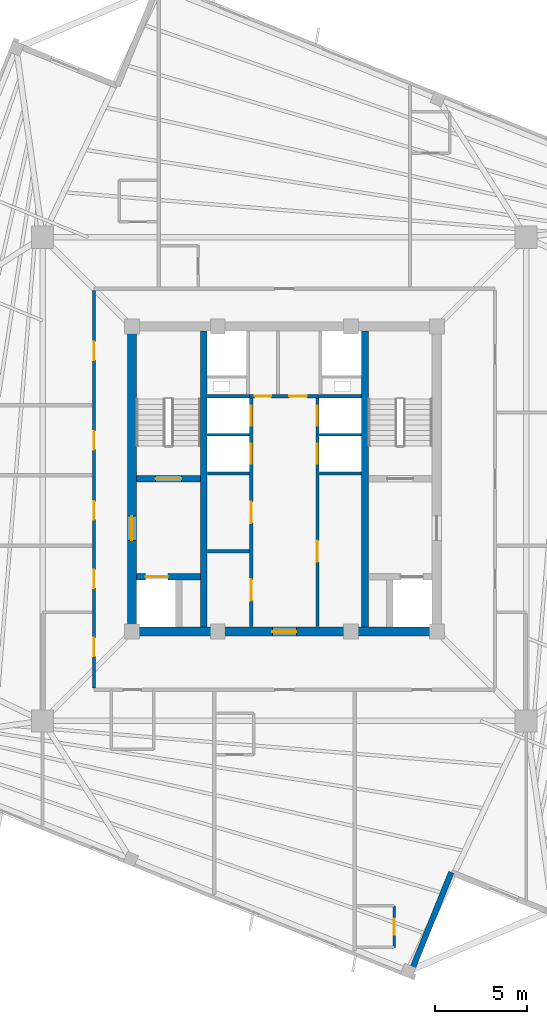
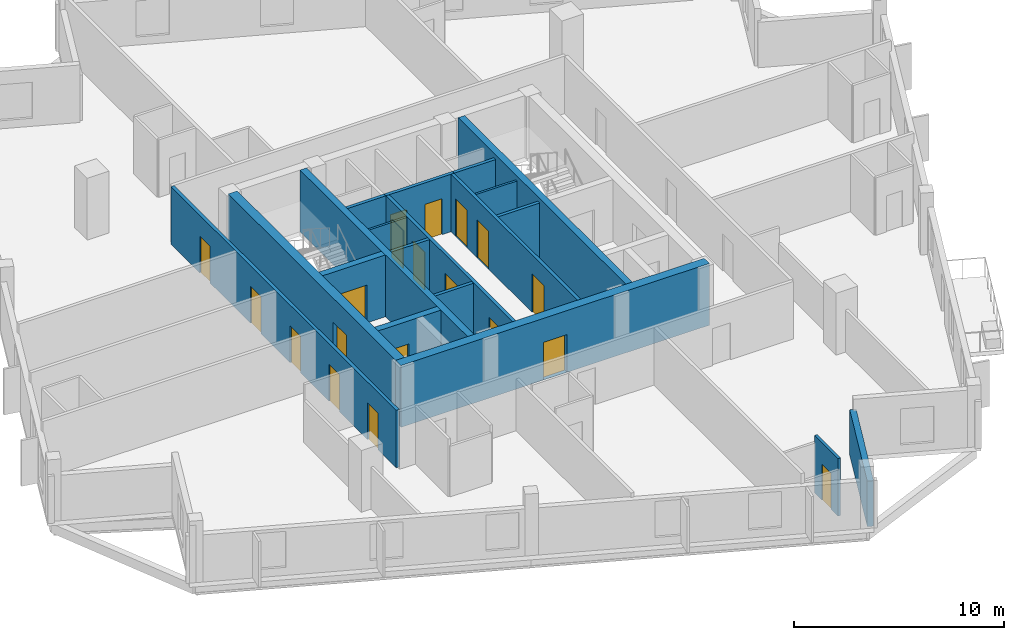
# One storey, part 3 of 9: 19 doors, 19 walls, 19 openings.
"""IFC4 building model written with IfcOpenShell, lengths in metres."""

import ifcopenshell
import ifcopenshell.guid

model = None  # the IFC model being written
_history = None  # IfcOwnerHistory: only IFC2X3 demands one
_inside = {}  # id of a spatial element -> (the spatial element, [elements in it])
_under = {}  # id of a project, library or spatial element -> (it, [spatial elements below it])
_declared = {}  # id of a project -> (the project, [libraries it declares])
_typed = {}  # id of a type object -> (the type object, [elements of that type])
_made_of = {}  # id of a material, layer set ... -> (it, [elements and type objects made of it])


def new_model(schema):
    """Start an empty IFC model of exactly this schema.

    Asked for "IFC4X3", IfcOpenShell would pick the latest addendum, in which some entities
    have other attributes; the version numbers below select the first issue.
    IFC2X3 requires an IfcOwnerHistory on every rooted entity: one is made here for all.
    """
    global model, _history
    if schema == "IFC4X3":
        model = ifcopenshell.file(schema_version=(4, 3, 0, 0))
    else:
        model = ifcopenshell.file(schema=schema)
    _inside.clear()
    _under.clear()
    _declared.clear()
    _typed.clear()
    _made_of.clear()
    _history = None
    if model.schema == "IFC2X3":
        org = make("IfcOrganization", Name="unknown")
        user = make(
            "IfcPersonAndOrganization",
            ThePerson=make("IfcPerson", FamilyName="unknown"),
            TheOrganization=org,
        )
        app = make(
            "IfcApplication",
            ApplicationDeveloper=org,
            Version="unknown",
            ApplicationFullName="unknown",
            ApplicationIdentifier="unknown",
        )
        _history = make(
            "IfcOwnerHistory",
            OwningUser=user,
            OwningApplication=app,
            ChangeAction="ADDED",
            CreationDate=0,
        )
    return model


def make(cls, **values):
    """One entity of the class cls with the attributes given. An attribute that is None is left unset."""
    return model.create_entity(
        cls, **{name: value for name, value in values.items() if value is not None}
    )


def rooted(cls, **values):
    """An entity with a GlobalId (a new one), such as an element, a storey or a relation."""
    return make(cls, GlobalId=ifcopenshell.guid.new(), OwnerHistory=_history, **values)


def si_unit(unit_type, name, prefix=None):
    """IfcSIUnit, for example si_unit("LENGTHUNIT", "METRE", prefix="MILLI")."""
    return make("IfcSIUnit", UnitType=unit_type, Prefix=prefix, Name=name)


def assignment(units):
    """IfcUnitAssignment: the units of a project."""
    return None if units is None else make("IfcUnitAssignment", Units=units)


def point(xyz):
    """IfcCartesianPoint."""
    return None if xyz is None else make("IfcCartesianPoint", Coordinates=xyz)


def direction(xyz):
    """IfcDirection."""
    return None if xyz is None else make("IfcDirection", DirectionRatios=xyz)


def frame(location, z_axis=None, x_axis=None):
    """IfcAxis2Placement3D, a coordinate frame: its origin and axes. An axis left out is left unset."""
    return make(
        "IfcAxis2Placement3D",
        Location=point(location),
        Axis=direction(z_axis),
        RefDirection=direction(x_axis),
    )


def frame_2d(location, x_axis=None):
    """IfcAxis2Placement2D, a coordinate frame in the plane: its origin and x axis."""
    return make(
        "IfcAxis2Placement2D", Location=point(location), RefDirection=direction(x_axis)
    )


def origin():
    """The frame at (0, 0, 0) with its axes left unset."""
    return frame((0.0, 0.0, 0.0))


def place(relative_to, where):
    """IfcLocalPlacement: puts the frame where relative to a parent placement (None: the world)."""
    return make(
        "IfcLocalPlacement", PlacementRelTo=relative_to, RelativePlacement=where
    )


def context(
    kind, dimensions, precision=None, world=None, true_north=None, identifier=None
):
    """IfcGeometricRepresentationContext, for example the 3D "Model" context."""
    return make(
        "IfcGeometricRepresentationContext",
        ContextIdentifier=identifier,
        ContextType=kind,
        CoordinateSpaceDimension=dimensions,
        Precision=precision,
        WorldCoordinateSystem=world,
        TrueNorth=true_north,
    )


def subcontext(parent, identifier, kind, view, scale=None):
    """IfcGeometricRepresentationSubContext, for example "Body" below "Model"."""
    return make(
        "IfcGeometricRepresentationSubContext",
        ContextIdentifier=identifier,
        ContextType=kind,
        ParentContext=parent,
        TargetScale=scale,
        TargetView=view,
    )


def project(units=None, contexts=None):
    """IfcProject with its units and contexts."""
    return rooted(
        "IfcProject",
        Name="project",
        RepresentationContexts=contexts,
        UnitsInContext=assignment(units),
    )


def spatial(cls, under=None, at=None, **own):
    """A site, building, storey or space (cls), placed at a placement, below another one or the project."""
    s = rooted(cls, ObjectPlacement=at, **own)
    if under is not None:
        _under.setdefault(under.id(), (under, []))[1].append(s)
    return s


def profile(cls, at=None, kind="AREA", **sizes):
    """A parametric profile (cls). Its sizes go by their IFC names, for example OverallWidth=200.0."""
    return make(cls, ProfileType=kind, Position=at, **sizes)


def rectangle(**sizes):
    """IfcRectangleProfileDef."""
    return profile("IfcRectangleProfileDef", **sizes)


def extrude(swept, where, along, depth):
    """IfcExtrudedAreaSolid: the profile swept, set in the frame where, extruded along a direction by depth."""
    return make(
        "IfcExtrudedAreaSolid",
        SweptArea=swept,
        Position=where,
        ExtrudedDirection=direction(along),
        Depth=depth,
    )


def shape(context_of_items, identifier, shape_type, items):
    """IfcShapeRepresentation: the items that make up one representation, for example the "Body"."""
    return make(
        "IfcShapeRepresentation",
        ContextOfItems=context_of_items,
        RepresentationIdentifier=identifier,
        RepresentationType=shape_type,
        Items=items,
    )


def source(mapping_origin, context_of_items, identifier, shape_type, items):
    """IfcRepresentationMap: a shape defined once, which mapped items show again and again."""
    return make(
        "IfcRepresentationMap",
        MappingOrigin=mapping_origin,
        MappedRepresentation=shape(context_of_items, identifier, shape_type, items),
    )


def transform(
    local_origin,
    x_axis=None,
    y_axis=None,
    z_axis=None,
    scale=None,
    scale2=None,
    scale3=None,
    uniform=True,
):
    """IfcCartesianTransformationOperator3D, or its non-uniform kind. x_axis, y_axis, z_axis: its Axis1, 2, 3."""
    if uniform:
        return make(
            "IfcCartesianTransformationOperator3D",
            Axis1=direction(x_axis),
            Axis2=direction(y_axis),
            LocalOrigin=point(local_origin),
            Scale=scale,
            Axis3=direction(z_axis),
        )
    return make(
        "IfcCartesianTransformationOperator3DnonUniform",
        Axis1=direction(x_axis),
        Axis2=direction(y_axis),
        LocalOrigin=point(local_origin),
        Scale=scale,
        Axis3=direction(z_axis),
        Scale2=scale2,
        Scale3=scale3,
    )


def mapped(mapping_source, mapping_target):
    """IfcMappedItem: shows the shape of a source again, moved by a transform."""
    return make(
        "IfcMappedItem", MappingSource=mapping_source, MappingTarget=mapping_target
    )


def material(Name=None, Category=None):
    """IfcMaterial."""
    return make("IfcMaterial", Name=Name, Category=Category)


def layer(
    of_material, thickness, ventilated=None, Name=None, Category=None, Priority=None
):
    """IfcMaterialLayer: one layer of a wall or slab, of a material (None: an air gap)."""
    return make(
        "IfcMaterialLayer",
        Material=of_material,
        LayerThickness=thickness,
        IsVentilated=ventilated,
        Name=Name,
        Category=Category,
        Priority=Priority,
    )


def layer_set(layers, Name=None):
    """IfcMaterialLayerSet."""
    return make("IfcMaterialLayerSet", MaterialLayers=layers, LayerSetName=Name)


def made_of(thing, what):
    """Note that an element or type object is made of a material, layer set ...; save() writes the relation."""
    if what is not None:
        _made_of.setdefault(what.id(), (what, []))[1].append(thing)
    return thing


def type_object(cls, material=None, **own):
    """A type object (cls), such as IfcWallType, which elements share."""
    return made_of(rooted(cls, **own), material)


def element(
    cls,
    number,
    at=None,
    inside=None,
    cuts=None,
    type_object=None,
    material=None,
    context=None,
    identifier="Body",
    shape_type=None,
    held_by="IfcProductDefinitionShape",
    body=None,
    shapes=None,
    **own,
):
    """One element of the class cls, such as IfcWall. Its Tag is "e" and its number.

    at: its placement. inside: the storey or other place that contains it. cuts: it is an
    opening in that element (IfcRelVoidsElement). A single representation is given by context,
    identifier, shape_type and body (its items); several are given by shapes. held_by: the class
    of the entity that holds the representations. save() writes the other relations.
    """
    e = rooted(cls, Tag="e%d" % number, ObjectPlacement=at, **own)
    if body is not None:
        shapes = [shape(context, identifier, shape_type, body)]
    if shapes is not None:
        e.Representation = make(held_by, Representations=shapes)
    if inside is not None:
        _inside.setdefault(inside.id(), (inside, []))[1].append(e)
    if cuts is not None:
        rooted(
            "IfcRelVoidsElement", RelatingBuildingElement=cuts, RelatedOpeningElement=e
        )
    if type_object is not None:
        _typed.setdefault(type_object.id(), (type_object, []))[1].append(e)
    return made_of(e, material)


def fill(opening, filler):
    """IfcRelFillsElement: the door or window that sits in an opening."""
    return rooted(
        "IfcRelFillsElement",
        RelatingOpeningElement=opening,
        RelatedBuildingElement=filler,
    )


def aggregate(whole, parts):
    """IfcRelAggregates: a whole, such as a stair, and the parts it consists of."""
    return rooted("IfcRelAggregates", RelatingObject=whole, RelatedObjects=parts)


def save(model, path):
    """Write the relations noted so far, then the file.

    IfcRelAggregates (storeys below a building ...), IfcRelContainedInSpatialStructure (elements
    in a storey), IfcRelDefinesByType, IfcRelAssociatesMaterial and IfcRelDeclares: one each for
    every whole, place, type object, material and project.
    """
    for whole, parts in _under.values():
        aggregate(whole, parts)
    for where, things in _inside.values():
        rooted(
            "IfcRelContainedInSpatialStructure",
            RelatedElements=things,
            RelatingStructure=where,
        )
    for kind, things in _typed.values():
        rooted("IfcRelDefinesByType", RelatedObjects=things, RelatingType=kind)
    for what, things in _made_of.values():
        rooted("IfcRelAssociatesMaterial", RelatedObjects=things, RelatingMaterial=what)
    for by, libraries in _declared.values():
        rooted("IfcRelDeclares", RelatingContext=by, RelatedDefinitions=libraries)
    model.write(path)


model = new_model("IFC4")

# Units and contexts
model_context = context("Model", 3, precision=1e-05, world=origin(), true_north=direction((0.0, 1.0)))
body_context = subcontext(model_context, "Body", "Model", "MODEL_VIEW")
ifc_project = project(units=[si_unit("LENGTHUNIT", "METRE"), si_unit("AREAUNIT", "SQUARE_METRE"), si_unit("VOLUMEUNIT", "CUBIC_METRE"), si_unit("PLANEANGLEUNIT", "RADIAN"), si_unit("MASSUNIT", "GRAM", prefix="KILO"), si_unit("THERMODYNAMICTEMPERATUREUNIT", "KELVIN")], contexts=[model_context])

# Site, building, storey
site_placement = place(None, origin())
site = spatial("IfcSite", under=ifc_project, at=site_placement, CompositionType="ELEMENT")
building_placement = place(site_placement, origin())
building = spatial("IfcBuilding", under=site, at=building_placement, Name="Kosmvard Interchange Tower", CompositionType="ELEMENT")
storey_placement = place(building_placement, frame((0.0, 0.0, 272.39990234375)))
storey = spatial("IfcBuildingStorey", under=building, at=storey_placement, Name="L66", CompositionType="ELEMENT", Elevation=272.39990234375)

# Wall, openings, doors
ifc_material_1 = material(Name="Fire-rated gypsum partition system")
ifc_layer_1 = layer(ifc_material_1, 0.179931640625, Name="Fire-rated gypsum partition system")
ifc_layer_set_1 = layer_set([ifc_layer_1], Name="Fire-rated gypsum partition system")
wall_type_1 = type_object("IfcWallType", Name="Corridor & Hotel Compartment Partition 180", PredefinedType="PARTITIONING", material=ifc_layer_set_1)
wall_1_placement = place(storey_placement, frame((-1.7900390625, -7.97998046875, 0.0), z_axis=(0.0, 0.0, 1.0), x_axis=(0.0, 1.0, 0.0)))
wall_1 = element("IfcWall", 1, at=wall_1_placement, inside=storey, type_object=wall_type_1, Name="L66 West Lift Bank Front Wall", PredefinedType="PARTITIONING", context=body_context, shape_type="SweptSolid", body=[
    extrude(rectangle(XDim=12.3798828125, YDim=0.179931640625, at=frame_2d((6.18994140625, 0.0))), origin(), (0.0, 0.0, 1.0), 3.35009765625),
])
opening_1_placement = place(wall_1_placement, frame((8.800048828125, 0.0, 0.0)))
opening_1 = element("IfcOpeningElement", 2, at=opening_1_placement, cuts=wall_1, Name="Opening LD-PL-H1-L66", PredefinedType="OPENING", context=body_context, shape_type="SweptSolid", body=[
    extrude(rectangle(XDim=1.10009765625, YDim=2.199951171875, at=frame_2d((0.550048828125, 1.10009765625))), frame((0.0, 0.10009765625, 0.0), z_axis=(0.0, -1.0, 0.0), x_axis=(1.0, 0.0, 0.0)), (0.0, 0.0, 1.0), 0.199951171875),
])
opening_2_placement = place(wall_1_placement, frame((10.860107421875, 0.0, 0.0)))
opening_2 = element("IfcOpeningElement", 3, at=opening_2_placement, cuts=wall_1, Name="Opening LD-PL-H2-L66", PredefinedType="OPENING", context=body_context, shape_type="SweptSolid", body=[
    extrude(rectangle(XDim=1.10009765625, YDim=2.199951171875, at=frame_2d((0.550048828125, 1.10009765625))), frame((0.0, 0.10009765625, 0.0), z_axis=(0.0, -1.0, 0.0), x_axis=(1.0, 0.0, 0.0)), (0.0, 0.0, 1.0), 0.199951171875),
])
opening_3_placement = place(wall_1_placement, frame((1.39990234375, 0.0, 0.0)))
opening_3 = element("IfcOpeningElement", 4, at=opening_3_placement, cuts=wall_1, Name="Opening L66-CD1", PredefinedType="OPENING", context=body_context, shape_type="SweptSolid", body=[
    extrude(rectangle(XDim=1.14990234375, YDim=2.25, at=frame_2d((0.574951171875, 1.125))), frame((0.0, 0.10009765625, 0.0), z_axis=(0.0, -1.0, 0.0), x_axis=(1.0, 0.0, 0.0)), (0.0, 0.0, 1.0), 0.199951171875),
])
opening_4_placement = place(wall_1_placement, frame((5.60009765625, 0.0, 0.0)))
opening_4 = element("IfcOpeningElement", 5, at=opening_4_placement, cuts=wall_1, Name="Opening L66-CD2", PredefinedType="OPENING", context=body_context, shape_type="SweptSolid", body=[
    extrude(rectangle(XDim=1.14990234375, YDim=2.25, at=frame_2d((0.574951171875, 1.125))), frame((0.0, 0.10009765625, 0.0), z_axis=(0.0, -1.0, 0.0), x_axis=(1.0, 0.0, 0.0)), (0.0, 0.0, 1.0), 0.199951171875),
])
ifc_material_2 = material(Name="Painted fire-rated steel leaf", Category="steel")
door_type_1 = type_object("IfcDoorType", Name="Plant & Riser Fire Door 1150x2250 EI60", OperationType="NOTDEFINED", PredefinedType="DOOR", material=ifc_material_2)
shared_shape_1 = source(origin(), body_context, "Body", "SweptSolid", [
    extrude(rectangle(XDim=1.14990234375, YDim=2.25, at=frame_2d((0.574951171875, 1.125))), frame((0.0, 0.02490234375, 0.0), z_axis=(0.0, -1.0, 0.0), x_axis=(1.0, 0.0, 0.0)), (0.0, 0.0, 1.0), 0.050048828125),
])
door_1_placement = place(opening_3_placement, origin())
door_1 = element("IfcDoor", 6, at=door_1_placement, inside=storey, type_object=door_type_1, Name="L66 Core Archive Door", OperationType="SINGLE_SWING_LEFT", OverallHeight=2.25, OverallWidth=1.14990234375, PredefinedType="DOOR", context=body_context, shape_type="MappedRepresentation", body=[
    mapped(shared_shape_1, transform((0.0, 0.0, 0.0), scale=1.0)),
])
fill(opening_3, door_1)
door_2_placement = place(opening_4_placement, origin())
door_2 = element("IfcDoor", 7, at=door_2_placement, inside=storey, type_object=door_type_1, Name="L66 Mid Core Housekeeping Door", OperationType="SINGLE_SWING_RIGHT", OverallHeight=2.25, OverallWidth=1.14990234375, PredefinedType="DOOR", context=body_context, shape_type="MappedRepresentation", body=[
    mapped(shared_shape_1, transform((0.0, 0.0, 0.0), scale=1.0)),
])
fill(opening_4, door_2)
ifc_material_3 = material(Name="Brushed stainless steel sliding leaf", Category="steel")
door_type_2 = type_object("IfcDoorType", Name="Passenger Lift Sliding Landing Door 1100x2200 EI60", OperationType="DOUBLE_DOOR_SLIDING", PredefinedType="DOOR", material=ifc_material_3)
shared_shape_2 = source(origin(), body_context, "Body", "SweptSolid", [
    extrude(rectangle(XDim=1.10009765625, YDim=2.199951171875, at=frame_2d((0.550048828125, 1.10009765625))), frame((0.0, 0.02490234375, 0.0), z_axis=(0.0, -1.0, 0.0), x_axis=(1.0, 0.0, 0.0)), (0.0, 0.0, 1.0), 0.050048828125),
])
door_3_placement = place(opening_1_placement, frame((1.10009765625, 0.0, 0.0), z_axis=(0.0, 0.0, 1.0), x_axis=(-1.0, 0.0, 0.0)))
door_3 = element("IfcDoor", 8, at=door_3_placement, inside=storey, type_object=door_type_2, Name="Lift PL-H1 Landing Door L66", OperationType="DOUBLE_DOOR_SLIDING", OverallHeight=2.199951171875, OverallWidth=1.10009765625, PredefinedType="DOOR", context=body_context, shape_type="MappedRepresentation", body=[
    mapped(shared_shape_2, transform((0.0, 0.0, 0.0), scale=1.0)),
])
fill(opening_1, door_3)
door_4_placement = place(opening_2_placement, frame((1.10009765625, 0.0, 0.0), z_axis=(0.0, 0.0, 1.0), x_axis=(-1.0, 0.0, 0.0)))
door_4 = element("IfcDoor", 9, at=door_4_placement, inside=storey, type_object=door_type_2, Name="Lift PL-H2 Landing Door L66", OperationType="DOUBLE_DOOR_SLIDING", OverallHeight=2.199951171875, OverallWidth=1.10009765625, PredefinedType="DOOR", context=body_context, shape_type="MappedRepresentation", body=[
    mapped(shared_shape_2, transform((0.0, 0.0, 0.0), scale=1.0)),
])
fill(opening_2, door_4)

wall_2_placement = place(storey_placement, frame((1.7900390625, -7.97998046875, 0.0), z_axis=(0.0, 0.0, 1.0), x_axis=(0.0, 1.0, 0.0)))
wall_2 = element("IfcWall", 10, at=wall_2_placement, inside=storey, type_object=wall_type_1, Name="L66 East Lift Bank Front Wall", PredefinedType="PARTITIONING", context=body_context, shape_type="SweptSolid", body=[
    extrude(rectangle(XDim=12.3798828125, YDim=0.179931640625, at=frame_2d((6.18994140625, 0.0))), origin(), (0.0, 0.0, 1.0), 3.35009765625),
])
opening_5_placement = place(wall_2_placement, frame((8.800048828125, 0.0, 0.0)))
opening_5 = element("IfcOpeningElement", 11, at=opening_5_placement, cuts=wall_2, Name="Opening LD-PL-H3-L66", PredefinedType="OPENING", context=body_context, shape_type="SweptSolid", body=[
    extrude(rectangle(XDim=1.10009765625, YDim=2.199951171875, at=frame_2d((0.550048828125, 1.10009765625))), frame((0.0, 0.10009765625, 0.0), z_axis=(0.0, -1.0, 0.0), x_axis=(1.0, 0.0, 0.0)), (0.0, 0.0, 1.0), 0.199951171875),
])
opening_6_placement = place(wall_2_placement, frame((10.860107421875, 0.0, 0.0)))
opening_6 = element("IfcOpeningElement", 12, at=opening_6_placement, cuts=wall_2, Name="Opening LD-PL-H4-L66", PredefinedType="OPENING", context=body_context, shape_type="SweptSolid", body=[
    extrude(rectangle(XDim=1.10009765625, YDim=2.199951171875, at=frame_2d((0.550048828125, 1.10009765625))), frame((0.0, 0.10009765625, 0.0), z_axis=(0.0, -1.0, 0.0), x_axis=(1.0, 0.0, 0.0)), (0.0, 0.0, 1.0), 0.199951171875),
])
opening_7_placement = place(wall_2_placement, frame((3.5, 0.0, 0.0)))
opening_7 = element("IfcOpeningElement", 13, at=opening_7_placement, cuts=wall_2, Name="Opening L66-CD3", PredefinedType="OPENING", context=body_context, shape_type="SweptSolid", body=[
    extrude(rectangle(XDim=1.14990234375, YDim=2.25, at=frame_2d((0.574951171875, 1.125))), frame((0.0, 0.10009765625, 0.0), z_axis=(0.0, -1.0, 0.0), x_axis=(1.0, 0.0, 0.0)), (0.0, 0.0, 1.0), 0.199951171875),
])
door_5_placement = place(opening_7_placement, frame((1.14990234375, 0.0, 0.0), z_axis=(0.0, 0.0, 1.0), x_axis=(-1.0, 0.0, 0.0)))
door_5 = element("IfcDoor", 14, at=door_5_placement, inside=storey, type_object=door_type_1, Name="L66 Core Data Switch Door", OperationType="SINGLE_SWING_LEFT", OverallHeight=2.25, OverallWidth=1.14990234375, PredefinedType="DOOR", context=body_context, shape_type="MappedRepresentation", body=[
    mapped(shared_shape_1, transform((0.0, 0.0, 0.0), scale=1.0)),
])
fill(opening_7, door_5)
door_6_placement = place(opening_5_placement, origin())
door_6 = element("IfcDoor", 15, at=door_6_placement, inside=storey, type_object=door_type_2, Name="Lift PL-H3 Landing Door L66", OperationType="DOUBLE_DOOR_SLIDING", OverallHeight=2.199951171875, OverallWidth=1.10009765625, PredefinedType="DOOR", context=body_context, shape_type="MappedRepresentation", body=[
    mapped(shared_shape_2, transform((0.0, 0.0, 0.0), scale=1.0)),
])
fill(opening_5, door_6)
door_7_placement = place(opening_6_placement, origin())
door_7 = element("IfcDoor", 16, at=door_7_placement, inside=storey, type_object=door_type_2, Name="Lift PL-H4 Landing Door L66", OperationType="DOUBLE_DOOR_SLIDING", OverallHeight=2.199951171875, OverallWidth=1.10009765625, PredefinedType="DOOR", context=body_context, shape_type="MappedRepresentation", body=[
    mapped(shared_shape_2, transform((0.0, 0.0, 0.0), scale=1.0)),
])
fill(opening_6, door_7)

wall_3_placement = place(storey_placement, frame((-1.8798828125, 4.489990234375, 0.0), z_axis=(0.0, 0.0, 1.0), x_axis=(1.0, 0.0, 0.0)))
wall_3 = element("IfcWall", 17, at=wall_3_placement, inside=storey, type_object=wall_type_1, Name="L66 Lift Lobby North Partition", PredefinedType="PARTITIONING", context=body_context, shape_type="SweptSolid", body=[
    extrude(rectangle(XDim=3.759765625, YDim=0.179931640625, at=frame_2d((1.8798828125, 0.0))), origin(), (0.0, 0.0, 1.0), 3.35009765625),
])
opening_8_placement = place(wall_3_placement, frame((0.280029296875, 0.0, 0.0)))
opening_8 = element("IfcOpeningElement", 18, at=opening_8_placement, cuts=wall_3, Name="Opening L66-KD1", PredefinedType="OPENING", context=body_context, shape_type="SweptSolid", body=[
    extrude(rectangle(XDim=0.8798828125, YDim=2.10009765625, at=frame_2d((0.43994140625, 1.050048828125))), frame((0.0, 0.10009765625, 0.0), z_axis=(0.0, -1.0, 0.0), x_axis=(1.0, 0.0, 0.0)), (0.0, 0.0, 1.0), 0.199951171875),
])
opening_9_placement = place(wall_3_placement, frame((2.14990234375, 0.0, 0.0)))
opening_9 = element("IfcOpeningElement", 19, at=opening_9_placement, cuts=wall_3, Name="Opening L66-KD2", PredefinedType="OPENING", context=body_context, shape_type="SweptSolid", body=[
    extrude(rectangle(XDim=0.949951171875, YDim=2.10009765625, at=frame_2d((0.47509765625, 1.050048828125))), frame((0.0, 0.10009765625, 0.0), z_axis=(0.0, -1.0, 0.0), x_axis=(1.0, 0.0, 0.0)), (0.0, 0.0, 1.0), 0.199951171875),
])
ifc_material_4 = material(Name="Painted fire-rated timber leaf", Category="wood")
door_type_3 = type_object("IfcDoorType", Name="Core Service Fire Door 950x2100 EI30", OperationType="NOTDEFINED", PredefinedType="DOOR", material=ifc_material_4)
shared_shape_3 = source(origin(), body_context, "Body", "SweptSolid", [
    extrude(rectangle(XDim=0.949951171875, YDim=2.10009765625, at=frame_2d((0.47509765625, 1.050048828125))), frame((0.0, 0.02490234375, 0.0), z_axis=(0.0, -1.0, 0.0), x_axis=(1.0, 0.0, 0.0)), (0.0, 0.0, 1.0), 0.050048828125),
])
door_8_placement = place(opening_9_placement, origin())
door_8 = element("IfcDoor", 20, at=door_8_placement, inside=storey, type_object=door_type_3, Name="L66 Core Tea Pantry Door", OperationType="SINGLE_SWING_RIGHT", OverallHeight=2.10009765625, OverallWidth=0.949951171875, PredefinedType="DOOR", context=body_context, shape_type="MappedRepresentation", body=[
    mapped(shared_shape_3, transform((0.0, 0.0, 0.0), scale=1.0)),
])
fill(opening_9, door_8)
door_type_4 = type_object("IfcDoorType", Name="Core Cupboard Fire Door 880x2100 EI30", OperationType="NOTDEFINED", PredefinedType="DOOR", material=ifc_material_4)
shared_shape_4 = source(origin(), body_context, "Body", "SweptSolid", [
    extrude(rectangle(XDim=0.8798828125, YDim=2.10009765625, at=frame_2d((0.43994140625, 1.050048828125))), frame((0.0, 0.02490234375, 0.0), z_axis=(0.0, -1.0, 0.0), x_axis=(1.0, 0.0, 0.0)), (0.0, 0.0, 1.0), 0.050048828125),
])
door_9_placement = place(opening_8_placement, origin())
door_9 = element("IfcDoor", 21, at=door_9_placement, inside=storey, type_object=door_type_4, Name="L66 Core Cleaner Cupboard Door", OperationType="SINGLE_SWING_LEFT", OverallHeight=2.10009765625, OverallWidth=0.8798828125, PredefinedType="DOOR", context=body_context, shape_type="MappedRepresentation", body=[
    mapped(shared_shape_4, transform((0.0, 0.0, 0.0), scale=1.0)),
])
fill(opening_8, door_9)

wall_4_placement = place(storey_placement, frame((-10.300048828125, -11.300048828125, 0.0), z_axis=(0.0, 0.0, 1.0), x_axis=(0.0, 1.0, 0.0)))
wall_4 = element("IfcWall", 22, at=wall_4_placement, inside=storey, type_object=wall_type_1, Name="L66 Corridor Wall CW", PredefinedType="PARTITIONING", context=body_context, shape_type="SweptSolid", body=[
    extrude(rectangle(XDim=21.5, YDim=0.179931640625, at=frame_2d((10.75, 0.0))), origin(), (0.0, 0.0, 1.0), 3.35009765625),
])
opening_10_placement = place(wall_4_placement, frame((12.89990234375, 0.0, 0.0)))
opening_10 = element("IfcOpeningElement", 23, at=opening_10_placement, cuts=wall_4, Name="Opening L66-D02", PredefinedType="OPENING", context=body_context, shape_type="SweptSolid", body=[
    extrude(rectangle(XDim=1.0, YDim=2.14990234375, at=frame_2d((0.5, 1.074951171875))), frame((0.0, 0.10009765625, 0.0), z_axis=(0.0, -1.0, 0.0), x_axis=(1.0, 0.0, 0.0)), (0.0, 0.0, 1.0), 0.199951171875),
])
opening_11_placement = place(wall_4_placement, frame((17.735595703125, 0.0, 0.0)))
opening_11 = element("IfcOpeningElement", 24, at=opening_11_placement, cuts=wall_4, Name="Opening L66-D03", PredefinedType="OPENING", context=body_context, shape_type="SweptSolid", body=[
    extrude(rectangle(XDim=1.0, YDim=2.14990234375, at=frame_2d((0.5, 1.074951171875))), frame((0.0, 0.10009765625, 0.0), z_axis=(0.0, -1.0, 0.0), x_axis=(1.0, 0.0, 0.0)), (0.0, 0.0, 1.0), 0.199951171875),
])
opening_12_placement = place(wall_4_placement, frame((1.71435546875, 0.0, 0.0)))
opening_12 = element("IfcOpeningElement", 25, at=opening_12_placement, cuts=wall_4, Name="Opening L66-D17", PredefinedType="OPENING", context=body_context, shape_type="SweptSolid", body=[
    extrude(rectangle(XDim=1.0, YDim=2.14990234375, at=frame_2d((0.5, 1.074951171875))), frame((0.0, 0.10009765625, 0.0), z_axis=(0.0, -1.0, 0.0), x_axis=(1.0, 0.0, 0.0)), (0.0, 0.0, 1.0), 0.199951171875),
])
opening_13_placement = place(wall_4_placement, frame((5.39990234375, 0.0, 0.0)))
opening_13 = element("IfcOpeningElement", 26, at=opening_13_placement, cuts=wall_4, Name="Opening L66-D18", PredefinedType="OPENING", context=body_context, shape_type="SweptSolid", body=[
    extrude(rectangle(XDim=1.0, YDim=2.14990234375, at=frame_2d((0.5, 1.074951171875))), frame((0.0, 0.10009765625, 0.0), z_axis=(0.0, -1.0, 0.0), x_axis=(1.0, 0.0, 0.0)), (0.0, 0.0, 1.0), 0.199951171875),
])
opening_14_placement = place(wall_4_placement, frame((9.10009765625, 0.0, 0.0)))
opening_14 = element("IfcOpeningElement", 27, at=opening_14_placement, cuts=wall_4, Name="Opening L66-D19", PredefinedType="OPENING", context=body_context, shape_type="SweptSolid", body=[
    extrude(rectangle(XDim=1.0, YDim=2.14990234375, at=frame_2d((0.5, 1.074951171875))), frame((0.0, 0.10009765625, 0.0), z_axis=(0.0, -1.0, 0.0), x_axis=(1.0, 0.0, 0.0)), (0.0, 0.0, 1.0), 0.199951171875),
])
ifc_material_5 = material(Name="Engineered oak fire-rated timber", Category="wood")
door_type_5 = type_object("IfcDoorType", Name="Hotel Guestroom Entrance Door 1000x2150 EI60", OperationType="NOTDEFINED", PredefinedType="DOOR", material=ifc_material_5)
shared_shape_5 = source(origin(), body_context, "Body", "SweptSolid", [
    extrude(rectangle(XDim=1.0, YDim=2.14990234375, at=frame_2d((0.5, 1.074951171875))), frame((0.0, 0.02490234375, 0.0), z_axis=(0.0, -1.0, 0.0), x_axis=(1.0, 0.0, 0.0)), (0.0, 0.0, 1.0), 0.050048828125),
])
door_10_placement = place(opening_10_placement, origin())
door_10 = element("IfcDoor", 28, at=door_10_placement, inside=storey, type_object=door_type_5, Name="L66 Hotel Sky Panorama Lounge Door", OperationType="SINGLE_SWING_RIGHT", OverallHeight=2.14990234375, OverallWidth=1.0, PredefinedType="DOOR", context=body_context, shape_type="MappedRepresentation", body=[
    mapped(shared_shape_5, transform((0.0, 0.0, 0.0), scale=1.0)),
])
fill(opening_10, door_10)
door_11_placement = place(opening_11_placement, origin())
door_11 = element("IfcDoor", 29, at=door_11_placement, inside=storey, type_object=door_type_5, Name="L66 Hotel North-East Junior Suite 1 Door", OperationType="SINGLE_SWING_LEFT", OverallHeight=2.14990234375, OverallWidth=1.0, PredefinedType="DOOR", context=body_context, shape_type="MappedRepresentation", body=[
    mapped(shared_shape_5, transform((0.0, 0.0, 0.0), scale=1.0)),
])
fill(opening_11, door_11)
door_12_placement = place(opening_12_placement, origin())
door_12 = element("IfcDoor", 30, at=door_12_placement, inside=storey, type_object=door_type_5, Name="L66 Housekeeping and Linen Room Door", OperationType="SINGLE_SWING_LEFT", OverallHeight=2.14990234375, OverallWidth=1.0, PredefinedType="DOOR", context=body_context, shape_type="MappedRepresentation", body=[
    mapped(shared_shape_5, transform((0.0, 0.0, 0.0), scale=1.0)),
])
fill(opening_12, door_12)
door_13_placement = place(opening_13_placement, origin())
door_13 = element("IfcDoor", 31, at=door_13_placement, inside=storey, type_object=door_type_5, Name="L66 Hotel Room Service Pantry Door", OperationType="SINGLE_SWING_RIGHT", OverallHeight=2.14990234375, OverallWidth=1.0, PredefinedType="DOOR", context=body_context, shape_type="MappedRepresentation", body=[
    mapped(shared_shape_5, transform((0.0, 0.0, 0.0), scale=1.0)),
])
fill(opening_13, door_13)
door_14_placement = place(opening_14_placement, origin())
door_14 = element("IfcDoor", 32, at=door_14_placement, inside=storey, type_object=door_type_5, Name="L66 Hotel King Guest Room 5 Door", OperationType="SINGLE_SWING_LEFT", OverallHeight=2.14990234375, OverallWidth=1.0, PredefinedType="DOOR", context=body_context, shape_type="MappedRepresentation", body=[
    mapped(shared_shape_5, transform((0.0, 0.0, 0.0), scale=1.0)),
])
fill(opening_14, door_14)

# Walls
ifc_material_6 = material(Name="Concrete blockwork masonry", Category="masonry")
ifc_layer_2 = layer(ifc_material_6, 0.179931640625, Name="Concrete blockwork masonry")
ifc_layer_set_2 = layer_set([ifc_layer_2], Name="Concrete blockwork masonry")
wall_type_2 = type_object("IfcWallType", Name="Riser & Lift Bank Divider Wall 180", PredefinedType="PARTITIONING", material=ifc_layer_set_2)
for number, where, z_axis, x_axis, name in (
    (33, (-4.169921875, -3.89990234375, 0.0), (0.0, 0.0, 1.0), (1.0, 0.0, 0.0), "L66 West Bank Divider BD1"),
    (34, (-4.169921875, 0.300048828125, 0.0), (0.0, 0.0, 1.0), (1.0, 0.0, 0.0), "L66 West Bank Divider BD2"),
    (35, (1.889892578125, 0.300048828125, 0.0), (0.0, 0.0, 1.0), (1.0, 0.0, 0.0), "L66 East Bank Divider BD2"),
    (36, (-4.169921875, 4.489990234375, 0.0), (0.0, 0.0, 1.0), (1.0, 0.0, 0.0), "L66 West Bank Divider BD3"),
    (37, (1.889892578125, 4.489990234375, 0.0), (0.0, 0.0, 1.0), (1.0, 0.0, 0.0), "L66 East Bank Divider BD3"),
):
    element("IfcWall", number, at=place(storey_placement, frame(where, z_axis=z_axis, x_axis=x_axis)), inside=storey, type_object=wall_type_2, Name=name, PredefinedType="PARTITIONING", context=body_context, shape_type="SweptSolid", body=[
        extrude(rectangle(XDim=2.280029296875, YDim=0.179931640625, at=frame_2d((1.14013671875, 0.0))), origin(), (0.0, 0.0, 1.0), 3.35009765625),
    ])
ifc_material_7 = material(Name="Fire-rated gypsum shaftwall system")
ifc_layer_3 = layer(ifc_material_7, 0.1201171875, Name="Fire-rated gypsum shaftwall system")
ifc_layer_set_3 = layer_set([ifc_layer_3], Name="Fire-rated gypsum shaftwall system")
wall_type_3 = type_object("IfcWallType", Name="Shaft & Riser Fire Partition 120 EI60", PredefinedType="PARTITIONING", material=ifc_layer_set_3)
for number, where, z_axis, x_axis, name in (
    (38, (-4.159912109375, 2.39990234375, 0.0), (0.0, 0.0, 1.0), (1.0, 0.0, 0.0), "L66 Shaft Divider PL-H1"),
    (39, (1.89990234375, 2.39990234375, 0.0), (0.0, 0.0, 1.0), (1.0, 0.0, 0.0), "L66 Shaft Divider PL-H3"),
):
    element("IfcWall", number, at=place(storey_placement, frame(where, z_axis=z_axis, x_axis=x_axis)), inside=storey, type_object=wall_type_3, Name=name, PredefinedType="PARTITIONING", context=body_context, shape_type="SweptSolid", body=[
        extrude(rectangle(XDim=2.260009765625, YDim=0.1201171875, at=frame_2d((1.1298828125, 0.0))), origin(), (0.0, 0.0, 1.0), 3.35009765625),
    ])
ifc_material_8 = material(Name="Concrete C60/75", Category="concrete")
ifc_layer_4 = layer(ifc_material_8, 0.360107421875, Name="Concrete C60/75")
ifc_layer_set_4 = layer_set([ifc_layer_4], Name="Concrete C60/75")
wall_type_4 = type_object("IfcWallType", Name="Stair & Lift Shaft Shear Wall 360 C60/75", PredefinedType="SHEAR", material=ifc_layer_set_4)
for number, where, z_axis, x_axis, name in (
    (40, (-4.360107421875, -8.0, 0.0), (0.0, 0.0, 1.0), (0.0, 1.0, 0.0), "L66 Shaft Shear Wall SW-W"),
    (41, (4.360107421875, -8.0, 0.0), (0.0, 0.0, 1.0), (0.0, 1.0, 0.0), "L66 Shaft Shear Wall SW-E"),
):
    element("IfcWall", number, at=place(storey_placement, frame(where, z_axis=z_axis, x_axis=x_axis)), inside=storey, type_object=wall_type_4, Name=name, PredefinedType="SHEAR", context=body_context, shape_type="SweptSolid", body=[
        extrude(rectangle(XDim=16.0, YDim=0.360107421875, at=frame_2d((8.0, 0.0))), origin(), (0.0, 0.0, 1.0), 3.60009765625),
    ])

# Wall, opening, door
wall_5_placement = place(storey_placement, frame((-8.0, 0.02001953125, 0.0), z_axis=(0.0, 0.0, 1.0), x_axis=(1.0, 0.0, 0.0)))
wall_5 = element("IfcWall", 42, at=wall_5_placement, inside=storey, type_object=wall_type_4, Name="L66 Shaft Shear Wall SW-ST1", PredefinedType="SHEAR", context=body_context, shape_type="SweptSolid", body=[
    extrude(rectangle(XDim=3.4599609375, YDim=0.360107421875, at=frame_2d((1.72998046875, 0.0))), origin(), (0.0, 0.0, 1.0), 3.60009765625),
])
opening_15_placement = place(wall_5_placement, frame((1.030029296875, 0.0, 0.0)))
opening_15 = element("IfcOpeningElement", 43, at=opening_15_placement, cuts=wall_5, Name="Opening L66-SD1", PredefinedType="OPENING", context=body_context, shape_type="SweptSolid", body=[
    extrude(rectangle(XDim=1.39990234375, YDim=2.199951171875, at=frame_2d((0.699951171875, 1.10009765625))), frame((0.0, 0.18994140625, 0.0), z_axis=(0.0, -1.0, 0.0), x_axis=(1.0, 0.0, 0.0)), (0.0, 0.0, 1.0), 0.380126953125),
])
door_type_6 = type_object("IfcDoorType", Name="Protected Stair Door 1400x2200 FD60S", OperationType="NOTDEFINED", PredefinedType="DOOR", material=ifc_material_2)
shared_shape_6 = source(origin(), body_context, "Body", "SweptSolid", [
    extrude(rectangle(XDim=1.39990234375, YDim=2.199951171875, at=frame_2d((0.699951171875, 1.10009765625))), frame((0.0, 0.02490234375, 0.0), z_axis=(0.0, -1.0, 0.0), x_axis=(1.0, 0.0, 0.0)), (0.0, 0.0, 1.0), 0.050048828125),
])
door_15_placement = place(opening_15_placement, origin())
door_15 = element("IfcDoor", 44, at=door_15_placement, inside=storey, type_object=door_type_6, Name="L66 Stair ST-1 Enclosure Door", OperationType="SINGLE_SWING_LEFT", OverallHeight=2.199951171875, OverallWidth=1.39990234375, PredefinedType="DOOR", context=body_context, shape_type="MappedRepresentation", body=[
    mapped(shared_shape_6, transform((0.0, 0.0, 0.0), scale=1.0)),
])
fill(opening_15, door_15)

wall_6_placement = place(storey_placement, frame((-8.0, -5.280029296875, 0.0), z_axis=(0.0, 0.0, 1.0), x_axis=(1.0, 0.0, 0.0)))
wall_6 = element("IfcWall", 45, at=wall_6_placement, inside=storey, type_object=wall_type_4, Name="L66 Shaft Shear Wall SW-FF1", PredefinedType="SHEAR", context=body_context, shape_type="SweptSolid", body=[
    extrude(rectangle(XDim=3.4599609375, YDim=0.360107421875, at=frame_2d((1.72998046875, 0.0))), origin(), (0.0, 0.0, 1.0), 3.60009765625),
])
opening_16_placement = place(wall_6_placement, frame((0.5, 0.0, 0.0)))
opening_16 = element("IfcOpeningElement", 46, at=opening_16_placement, cuts=wall_6, Name="Opening LD-FF-1-L66", PredefinedType="OPENING", context=body_context, shape_type="SweptSolid", body=[
    extrude(rectangle(XDim=1.199951171875, YDim=2.25, at=frame_2d((0.60009765625, 1.125))), frame((0.0, 0.18994140625, 0.0), z_axis=(0.0, -1.0, 0.0), x_axis=(1.0, 0.0, 0.0)), (0.0, 0.0, 1.0), 0.380126953125),
])
door_type_7 = type_object("IfcDoorType", Name="Firefighting Lift Sliding Landing Door 1200x2250 EI120", OperationType="DOUBLE_DOOR_SLIDING", PredefinedType="DOOR", material=ifc_material_3)
shared_shape_7 = source(origin(), body_context, "Body", "SweptSolid", [
    extrude(rectangle(XDim=1.199951171875, YDim=2.25, at=frame_2d((0.60009765625, 1.125))), frame((0.0, 0.02490234375, 0.0), z_axis=(0.0, -1.0, 0.0), x_axis=(1.0, 0.0, 0.0)), (0.0, 0.0, 1.0), 0.050048828125),
])
door_16_placement = place(opening_16_placement, origin())
door_16 = element("IfcDoor", 47, at=door_16_placement, inside=storey, type_object=door_type_7, Name="Lift FF-1 Landing Door L66", OperationType="DOUBLE_DOOR_SLIDING", OverallHeight=2.25, OverallWidth=1.199951171875, PredefinedType="DOOR", context=body_context, shape_type="MappedRepresentation", body=[
    mapped(shared_shape_7, transform((0.0, 0.0, 0.0), scale=1.0)),
])
fill(opening_16, door_16)

ifc_layer_5 = layer(ifc_material_8, 0.5, Name="Concrete C60/75")
ifc_layer_set_5 = layer_set([ifc_layer_5], Name="Concrete C60/75")
wall_type_5 = type_object("IfcWallType", Name="Upper Core Shear Wall 500 C60/75", PredefinedType="SHEAR", material=ifc_layer_set_5)
wall_7_placement = place(storey_placement, frame((-8.5, -8.25, 0.0), z_axis=(0.0, 0.0, 1.0), x_axis=(1.0, 0.0, 0.0)))
wall_7 = element("IfcWall", 48, at=wall_7_placement, inside=storey, type_object=wall_type_5, Name="L66 Core Shear Wall CW-S", PredefinedType="SHEAR", context=body_context, shape_type="SweptSolid", body=[
    extrude(rectangle(XDim=17.0, YDim=0.5, at=frame_2d((8.5, 0.0))), origin(), (0.0, 0.0, 1.0), 3.60009765625),
])
opening_17_placement = place(wall_7_placement, frame((7.85009765625, 0.0, 0.0)))
opening_17 = element("IfcOpeningElement", 49, at=opening_17_placement, cuts=wall_7, Name="Opening L66-LD0", PredefinedType="OPENING", context=body_context, shape_type="SweptSolid", body=[
    extrude(rectangle(XDim=1.300048828125, YDim=2.199951171875, at=frame_2d((0.64990234375, 1.10009765625))), frame((0.0, 0.260009765625, 0.0), z_axis=(0.0, -1.0, 0.0), x_axis=(1.0, 0.0, 0.0)), (0.0, 0.0, 1.0), 0.52001953125),
])
door_type_8 = type_object("IfcDoorType", Name="Firefighting Lobby Door 1300x2200 EI60", OperationType="NOTDEFINED", PredefinedType="DOOR", material=ifc_material_2)
shared_shape_8 = source(origin(), body_context, "Body", "SweptSolid", [
    extrude(rectangle(XDim=1.300048828125, YDim=2.199951171875, at=frame_2d((0.64990234375, 1.10009765625))), frame((0.0, 0.02490234375, 0.0), z_axis=(0.0, -1.0, 0.0), x_axis=(1.0, 0.0, 0.0)), (0.0, 0.0, 1.0), 0.050048828125),
])
door_17_placement = place(opening_17_placement, frame((1.300048828125, 0.0, 0.0), z_axis=(0.0, 0.0, 1.0), x_axis=(-1.0, 0.0, 0.0)))
door_17 = element("IfcDoor", 50, at=door_17_placement, inside=storey, type_object=door_type_8, Name="L66 Passenger Lift Lobby South Door", OperationType="SINGLE_SWING_LEFT", OverallHeight=2.199951171875, OverallWidth=1.300048828125, PredefinedType="DOOR", context=body_context, shape_type="MappedRepresentation", body=[
    mapped(shared_shape_8, transform((0.0, 0.0, 0.0), scale=1.0)),
])
fill(opening_17, door_17)

wall_8_placement = place(storey_placement, frame((-8.25, -8.0, 0.0), z_axis=(0.0, 0.0, 1.0), x_axis=(0.0, 1.0, 0.0)))
wall_8 = element("IfcWall", 51, at=wall_8_placement, inside=storey, type_object=wall_type_5, Name="L66 Core Shear Wall CW-W", PredefinedType="SHEAR", context=body_context, shape_type="SweptSolid", body=[
    extrude(rectangle(XDim=16.0, YDim=0.5, at=frame_2d((8.0, 0.0))), origin(), (0.0, 0.0, 1.0), 3.60009765625),
])
opening_18_placement = place(wall_8_placement, frame((4.68994140625, 0.0, 0.0)))
opening_18 = element("IfcOpeningElement", 52, at=opening_18_placement, cuts=wall_8, Name="Opening L66-FD1", PredefinedType="OPENING", context=body_context, shape_type="SweptSolid", body=[
    extrude(rectangle(XDim=1.300048828125, YDim=2.199951171875, at=frame_2d((0.64990234375, 1.10009765625))), frame((0.0, 0.260009765625, 0.0), z_axis=(0.0, -1.0, 0.0), x_axis=(1.0, 0.0, 0.0)), (0.0, 0.0, 1.0), 0.52001953125),
])
door_18_placement = place(opening_18_placement, frame((1.300048828125, 0.0, 0.0), z_axis=(0.0, 0.0, 1.0), x_axis=(-1.0, 0.0, 0.0)))
door_18 = element("IfcDoor", 53, at=door_18_placement, inside=storey, type_object=door_type_8, Name="L66 Firefighting Lobby West Door", OperationType="SINGLE_SWING_LEFT", OverallHeight=2.199951171875, OverallWidth=1.300048828125, PredefinedType="DOOR", context=body_context, shape_type="MappedRepresentation", body=[
    mapped(shared_shape_8, transform((0.0, 0.0, 0.0), scale=1.0)),
])
fill(opening_18, door_18)

# Wall
ifc_material_9 = material(Name="Precast concrete C45/55", Category="concrete")
ifc_layer_6 = layer(ifc_material_9, 0.31005859375, Name="Precast concrete C45/55")
ifc_layer_set_6 = layer_set([ifc_layer_6], Name="Precast concrete C45/55")
wall_type_6 = type_object("IfcWallType", Name="Upper Tower Precast Pier Wall 310 C45/55", PredefinedType="STANDARD", material=ifc_layer_set_6)
wall_9_placement = place(storey_placement, frame((6.7841796875, -26.8408203125, 0.0), z_axis=(0.0, 0.0, 1.0), x_axis=(0.374636620962, 0.927171722085, 0.0)))
element("IfcWall", 54, at=wall_9_placement, inside=storey, type_object=wall_type_6, Name="L66 Precast Facade Wall N-SW1", PredefinedType="STANDARD", context=body_context, shape_type="SweptSolid", body=[
    extrude(rectangle(XDim=6.0, YDim=0.31005859375, at=frame_2d((3.0, 0.0))), origin(), (0.0, 0.0, 1.0), 2.650146484375),
])

# Wall, opening, door
ifc_material_10 = material(Name="Moisture-resistant gypsum partition")
ifc_layer_7 = layer(ifc_material_10, 0.135009765625, Name="Moisture-resistant gypsum partition")
ifc_layer_set_7 = layer_set([ifc_layer_7], Name="Moisture-resistant gypsum partition")
wall_type_7 = type_object("IfcWallType", Name="Wet Room Moisture-Resistant Partition 135", PredefinedType="PARTITIONING", material=ifc_layer_set_7)
wall_10_placement = place(storey_placement, frame((5.93994140625, -25.341552734375, 0.0), z_axis=(0.0, 0.0, 1.0), x_axis=(0.0, 1.0, 0.0)))
wall_10 = element("IfcWall", 55, at=wall_10_placement, inside=storey, type_object=wall_type_7, Name="L66 En-Suite Partition HGR4-E", PredefinedType="PARTITIONING", context=body_context, shape_type="SweptSolid", body=[
    extrude(rectangle(XDim=2.25, YDim=0.135009765625, at=frame_2d((1.125, 0.0))), origin(), (0.0, 0.0, 1.0), 3.35009765625),
])
opening_19_placement = place(wall_10_placement, frame((0.68505859375, 0.0, 0.0)))
opening_19 = element("IfcOpeningElement", 56, at=opening_19_placement, cuts=wall_10, Name="Opening L66-ED14", PredefinedType="OPENING", context=body_context, shape_type="SweptSolid", body=[
    extrude(rectangle(XDim=0.8798828125, YDim=2.10009765625, at=frame_2d((0.43994140625, 1.050048828125))), frame((0.0, 0.07763671875, 0.0), z_axis=(0.0, -1.0, 0.0), x_axis=(1.0, 0.0, 0.0)), (0.0, 0.0, 1.0), 0.155029296875),
])
ifc_material_11 = material(Name="Laminated moisture-resistant timber", Category="wood")
door_type_9 = type_object("IfcDoorType", Name="En-Suite & Washroom Door 880x2100", OperationType="NOTDEFINED", PredefinedType="DOOR", material=ifc_material_11)
door_19_placement = place(opening_19_placement, origin())
door_19 = element("IfcDoor", 57, at=door_19_placement, inside=storey, type_object=door_type_9, Name="L66 HGR4 En-Suite Door", OperationType="SINGLE_SWING_LEFT", OverallHeight=2.10009765625, OverallWidth=0.8798828125, PredefinedType="DOOR", context=body_context, shape_type="MappedRepresentation", body=[
    mapped(shared_shape_4, transform((0.0, 0.0, 0.0), scale=1.0)),
])
fill(opening_19, door_19)

save(model, "model.ifc")
